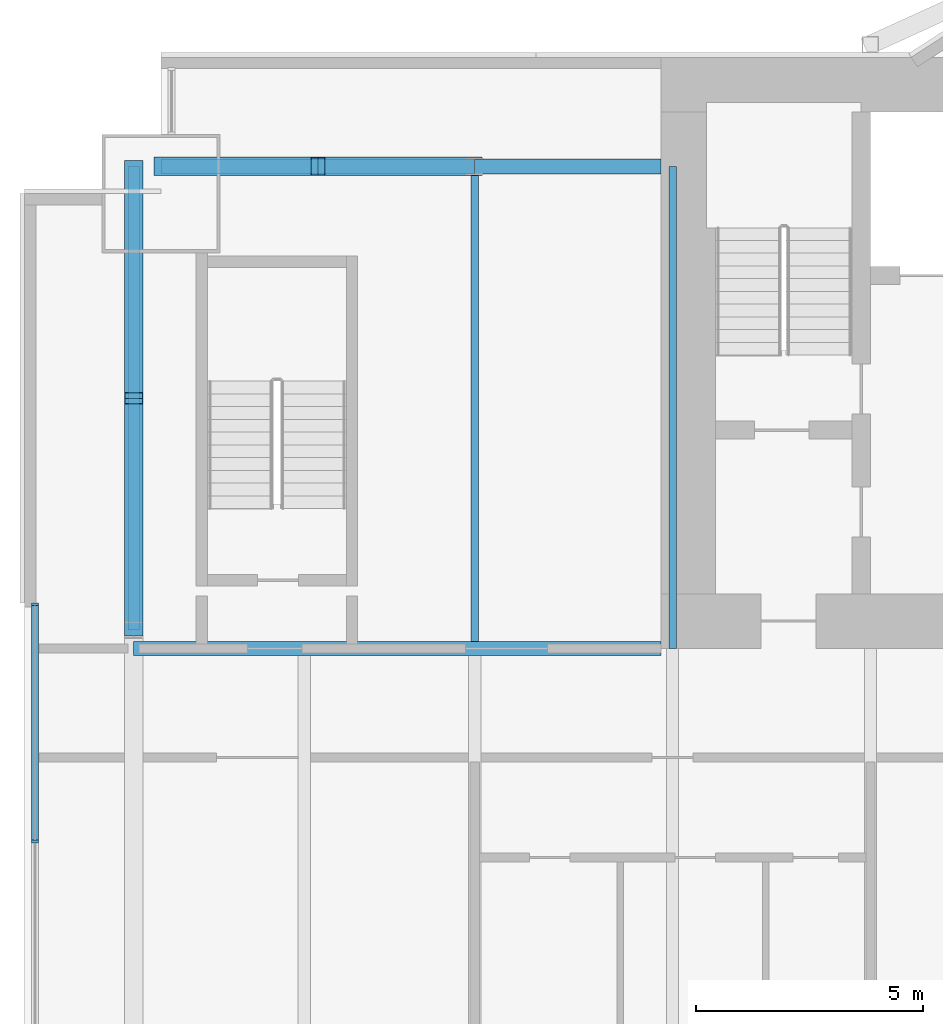
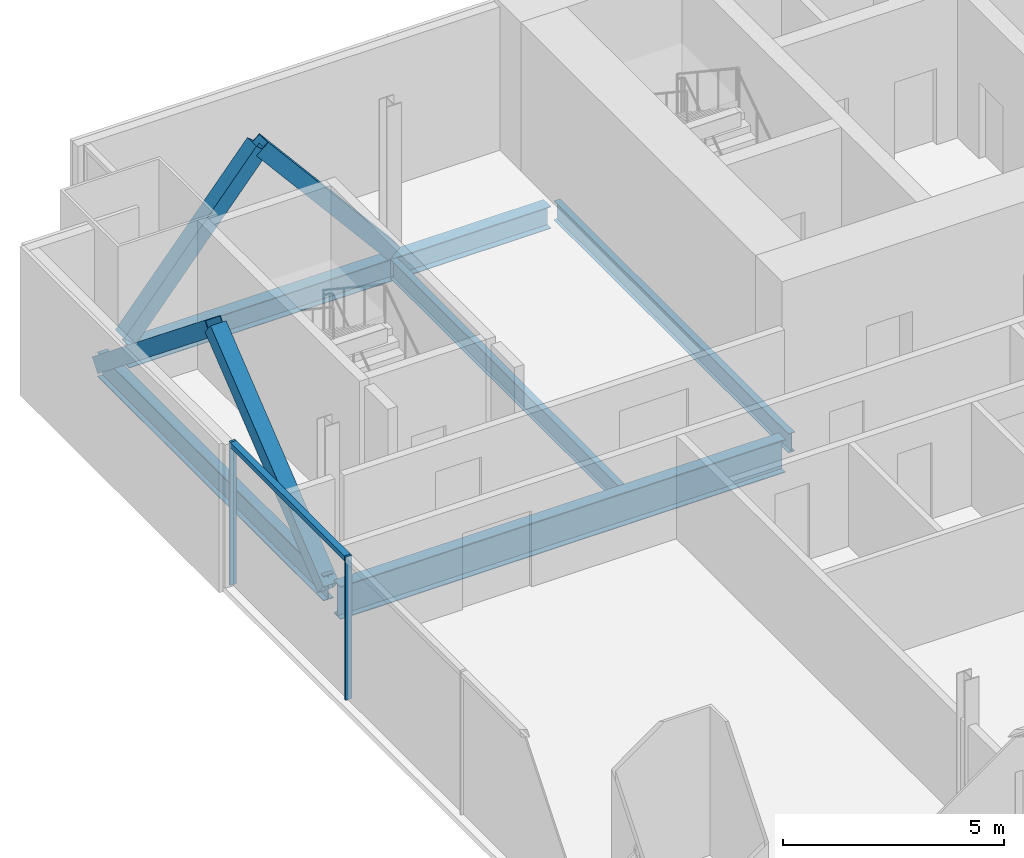
# One storey, part 7 of 20: 7 members, 6 beams, 1 element without a shape of its own.
"""IFC4 building model written with IfcOpenShell, lengths in metres."""

from ifc_helpers import new_model, si_unit, direction, frame, origin, origin_2d, place, context, subcontext, project, spatial, rectangle, hollow_rectangle, i_section, extrude, material, material_profile, profile_set, type_object, element, aggregate, save


model = new_model("IFC4")

# Units and contexts
model_context = context("Model", 3, precision=1e-05, world=origin(), true_north=direction((0.0, 1.0)))
body_context = subcontext(model_context, "Body", "Model", "MODEL_VIEW")
ifc_project = project(units=[si_unit("LENGTHUNIT", "METRE"), si_unit("AREAUNIT", "SQUARE_METRE"), si_unit("VOLUMEUNIT", "CUBIC_METRE"), si_unit("PLANEANGLEUNIT", "RADIAN"), si_unit("MASSUNIT", "GRAM", prefix="KILO")], contexts=[model_context])

# Site, building, storey
site_placement = place(None, origin())
site = spatial("IfcSite", under=ifc_project, at=site_placement, CompositionType="ELEMENT")
building_placement = place(site_placement, origin())
building = spatial("IfcBuilding", under=site, at=building_placement, Name="Bicima Exchange Tower", CompositionType="ELEMENT")
storey_placement = place(building_placement, frame((0.0, 0.0, 227.800048828125)))
storey = spatial("IfcBuildingStorey", under=building, at=storey_placement, Name="L51", CompositionType="ELEMENT", Elevation=227.800048828125)

# Beam
ifc_material_1 = material(Name="Steel ASTM A992 Gr 50", Category="steel")
ifc_material_profile_1 = material_profile(ifc_material_1, i_section(OverallWidth=0.3046875, OverallDepth=0.911865234375, WebThickness=0.015869140625, FlangeThickness=0.02392578125, at=origin_2d()))
ifc_profile_set_1 = profile_set([ifc_material_profile_1], Name="Steel ASTM A992 Gr 50")
beam_type_1 = type_object("IfcBeamType", Name="Core-line girder W36x150", PredefinedType="BEAM", material=ifc_profile_set_1)
beam_1_placement = place(storey_placement, frame((-22.0, -13.0, -0.60595703125), z_axis=(-1.0, 0.0, 0.0), x_axis=(0.0, -1.0, 0.0)))
element("IfcBeam", 1, at=beam_1_placement, inside=storey, type_object=beam_type_1, Name="Core-line girder", PredefinedType="BEAM", context=body_context, shape_type="SweptSolid", body=[
    extrude(i_section(OverallWidth=0.3046875, OverallDepth=0.911865234375, WebThickness=0.015869140625, FlangeThickness=0.02392578125, at=origin_2d()), origin(), (0.0, 0.0, 1.0), 11.60009765625),
])

# Curtain wall, members
ifc_material_2 = material(Name="Anodised bronze aluminium", Category="aluminium")
curtain_wall_type = type_object("IfcCurtainWallType", Name="End face glass wall", PredefinedType="NOTDEFINED", material=ifc_material_2)
curtain_wall_placement = place(storey_placement, origin())
curtain_wall = element("IfcCurtainWall", 2, at=curtain_wall_placement, inside=storey, type_object=curtain_wall_type, Name="End face glass wall L51 run 2", PredefinedType="NOTDEFINED")
ifc_material_profile_2 = material_profile(ifc_material_2, rectangle(XDim=0.159912109375, YDim=0.06005859375, at=origin_2d()))
ifc_profile_set_2 = profile_set([ifc_material_profile_2], Name="Anodised bronze aluminium")
member_type_1 = type_object("IfcMemberType", Name="End face glass wall mullion 60 x 160", PredefinedType="MULLION", material=ifc_profile_set_2)
member_1_placement = place(storey_placement, frame((-35.77001953125, -12.030029296875, 0.0), z_axis=(0.0, 0.0, 1.0), x_axis=(1.0, 0.0, 0.0)))
member_1 = element("IfcMember", 3, at=member_1_placement, type_object=member_type_1, Name="End face glass wall mullion 1", PredefinedType="MULLION", context=body_context, shape_type="SweptSolid", body=[
    extrude(rectangle(XDim=0.159912109375, YDim=0.06005859375, at=origin_2d()), origin(), (0.0, 0.0, 1.0), 3.949951171875),
])
member_2_placement = place(storey_placement, frame((-35.77001953125, -17.24658203125, 0.0), z_axis=(0.0, 0.0, 1.0), x_axis=(1.0, 0.0, 0.0)))
member_2 = element("IfcMember", 4, at=member_2_placement, type_object=member_type_1, Name="End face glass wall mullion 2", PredefinedType="MULLION", context=body_context, shape_type="SweptSolid", body=[
    extrude(rectangle(XDim=0.159912109375, YDim=0.06005859375, at=origin_2d()), origin(), (0.0, 0.0, 1.0), 3.949951171875),
])
ifc_material_profile_3 = material_profile(ifc_material_2, rectangle(XDim=0.159912109375, YDim=0.139892578125, at=origin_2d()))
ifc_profile_set_3 = profile_set([ifc_material_profile_3], Name="Anodised bronze aluminium")
member_type_2 = type_object("IfcMemberType", Name="End face glass wall transom 140 x 160", PredefinedType="USERDEFINED", material=ifc_profile_set_3)
member_3_placement = place(storey_placement, frame((-35.77001953125, -12.06005859375, 3.8798828125), z_axis=(0.0, -1.0, 0.0), x_axis=(1.0, 0.0, 0.0)))
member_3 = element("IfcMember", 5, at=member_3_placement, type_object=member_type_2, Name="End face glass wall transom 1.1", ObjectType="TRANSOM", PredefinedType="USERDEFINED", context=body_context, shape_type="SweptSolid", body=[
    extrude(rectangle(XDim=0.159912109375, YDim=0.139892578125, at=origin_2d()), origin(), (0.0, 0.0, 1.0), 5.15673828125),
])
aggregate(curtain_wall, [member_1, member_2, member_3])

# Beams
ifc_material_profile_4 = material_profile(ifc_material_1, i_section(OverallWidth=0.256591796875, OverallDepth=0.693359375, WebThickness=0.014404296875, FlangeThickness=0.023681640625, at=origin_2d()))
ifc_profile_set_4 = profile_set([ifc_material_profile_4], Name="Steel ASTM A992 Gr 50")
beam_type_2 = type_object("IfcBeamType", Name="End girder W27x114", PredefinedType="BEAM", material=ifc_profile_set_4)
beam_2_placement = place(storey_placement, frame((-33.60009765625, -2.39990234375, -0.496826171875), z_axis=(0.0, -1.0, 0.0), x_axis=(1.0, 0.0, 0.0)))
element("IfcBeam", 6, at=beam_2_placement, inside=storey, type_object=beam_type_2, Name="End girder", PredefinedType="BEAM", context=body_context, shape_type="SweptSolid", body=[
    extrude(i_section(OverallWidth=0.256591796875, OverallDepth=0.693359375, WebThickness=0.014404296875, FlangeThickness=0.023681640625, at=origin_2d()), origin(), (0.0, 0.0, 1.0), 10.2001953125),
])
ifc_material_profile_5 = material_profile(ifc_material_1, i_section(OverallWidth=0.165771484375, OverallDepth=0.5283203125, WebThickness=0.009765625, FlangeThickness=0.013671875, at=origin_2d()))
ifc_profile_set_5 = profile_set([ifc_material_profile_5], Name="Steel ASTM A992 Gr 50")
beam_type_3 = type_object("IfcBeamType", Name="Floor beam W21x50", PredefinedType="JOIST", material=ifc_profile_set_5)
beam_3_placement = place(storey_placement, frame((-26.10009765625, -2.5625, -0.414306640625), z_axis=(0.0, -1.0, 0.0), x_axis=(1.0, 0.0, 0.0)))
element("IfcBeam", 7, at=beam_3_placement, inside=storey, type_object=beam_type_3, Name="Floor beam", PredefinedType="JOIST", context=body_context, shape_type="SweptSolid", body=[
    extrude(i_section(OverallWidth=0.165771484375, OverallDepth=0.5283203125, WebThickness=0.009765625, FlangeThickness=0.013671875, at=origin_2d()), origin(), (0.0, 0.0, 1.0), 10.28515625),
])
beam_4_placement = place(storey_placement, frame((-21.75, -2.39990234375, -0.414306640625), z_axis=(0.0, -1.0, 0.0), x_axis=(1.0, 0.0, 0.0)))
element("IfcBeam", 8, at=beam_4_placement, inside=storey, type_object=beam_type_3, Name="Floor beam", PredefinedType="JOIST", context=body_context, shape_type="SweptSolid", body=[
    extrude(i_section(OverallWidth=0.165771484375, OverallDepth=0.5283203125, WebThickness=0.009765625, FlangeThickness=0.013671875, at=origin_2d()), origin(), (0.0, 0.0, 1.0), 10.60009765625),
])

# Members
ifc_material_3 = material(Name="Steel ASTM A572 Gr 50", Category="steel")
ifc_material_profile_6 = material_profile(ifc_material_3, hollow_rectangle(XDim=0.406494140625, YDim=0.406494140625, WallThickness=0.0146484375, at=origin_2d()))
ifc_profile_set_6 = profile_set([ifc_material_profile_6], Name="Steel ASTM A572 Gr 50")
member_type_3 = type_object("IfcMemberType", Name="Mega brace HSS16x16x5/8", PredefinedType="BRACE", material=ifc_profile_set_6)
for number, where, z_axis, x_axis, name in (
    (9, (-33.0, -2.39990234375, 0.0), (0.643856488545, 0.0, 0.765146275008), (0.0, 1.0, 0.0), "Mega brace rear"),
    (10, (-26.10009765625, -2.39990234375, 0.0), (-0.643856488545, 0.0, 0.765146275008), (0.0, -1.0, 0.0), "Mega brace rear"),
):
    element("IfcMember", number, at=place(storey_placement, frame(where, z_axis=z_axis, x_axis=x_axis)), inside=storey, type_object=member_type_3, Name=name, PredefinedType="BRACE", context=body_context, shape_type="SweptSolid", body=[
        extrude(hollow_rectangle(XDim=0.406494140625, YDim=0.406494140625, WallThickness=0.0146484375, at=origin_2d()), origin(), (0.0, 0.0, 1.0), 5.358154296875),
    ])
for number, where, z_axis, x_axis, name in (
    (11, (-33.60009765625, -2.39990234375, -0.496826171875), (0.0, -0.779374241895, 0.626558689247), (1.0, 0.0, 0.0), "Mega brace west end"),
    (12, (-33.60009765625, -12.60009765625, -0.496826171875), (0.0, 0.779374241895, 0.626558689247), (-1.0, 0.0, 0.0), "Mega brace west end"),
):
    element("IfcMember", number, at=place(storey_placement, frame(where, z_axis=z_axis, x_axis=x_axis)), inside=storey, type_object=member_type_3, Name=name, PredefinedType="BRACE", context=body_context, shape_type="SweptSolid", body=[
        extrude(hollow_rectangle(XDim=0.406494140625, YDim=0.406494140625, WallThickness=0.0146484375, at=origin_2d()), origin(), (0.0, 0.0, 1.0), 6.5439453125),
    ])

# Beams
ifc_material_profile_7 = material_profile(ifc_material_1, i_section(OverallWidth=0.3251953125, OverallDepth=0.612060546875, WebThickness=0.0126953125, FlangeThickness=0.01904296875, at=origin_2d()))
ifc_profile_set_7 = profile_set([ifc_material_profile_7], Name="Steel ASTM A992 Gr 50")
beam_type_4 = type_object("IfcBeamType", Name="Rear girder W24x104", PredefinedType="BEAM", material=ifc_profile_set_7)
beam_5_placement = place(storey_placement, frame((-22.0, -2.39990234375, -0.4560546875), z_axis=(-1.0, 0.0, 0.0), x_axis=(0.0, -1.0, 0.0)))
element("IfcBeam", 13, at=beam_5_placement, inside=storey, type_object=beam_type_4, Name="Rear girder", PredefinedType="BEAM", context=body_context, shape_type="SweptSolid", body=[
    extrude(i_section(OverallWidth=0.3251953125, OverallDepth=0.612060546875, WebThickness=0.0126953125, FlangeThickness=0.01904296875, at=origin_2d()), origin(), (0.0, 0.0, 1.0), 4.10009765625),
])
beam_6_placement = place(storey_placement, frame((-26.10009765625, -2.39990234375, -0.4560546875), z_axis=(-1.0, 0.0, 0.0), x_axis=(0.0, -1.0, 0.0)))
element("IfcBeam", 14, at=beam_6_placement, inside=storey, type_object=beam_type_4, Name="Rear girder", PredefinedType="BEAM", context=body_context, shape_type="SweptSolid", body=[
    extrude(i_section(OverallWidth=0.3251953125, OverallDepth=0.612060546875, WebThickness=0.0126953125, FlangeThickness=0.01904296875, at=origin_2d()), origin(), (0.0, 0.0, 1.0), 6.89990234375),
])

save(model, "model.ifc")
